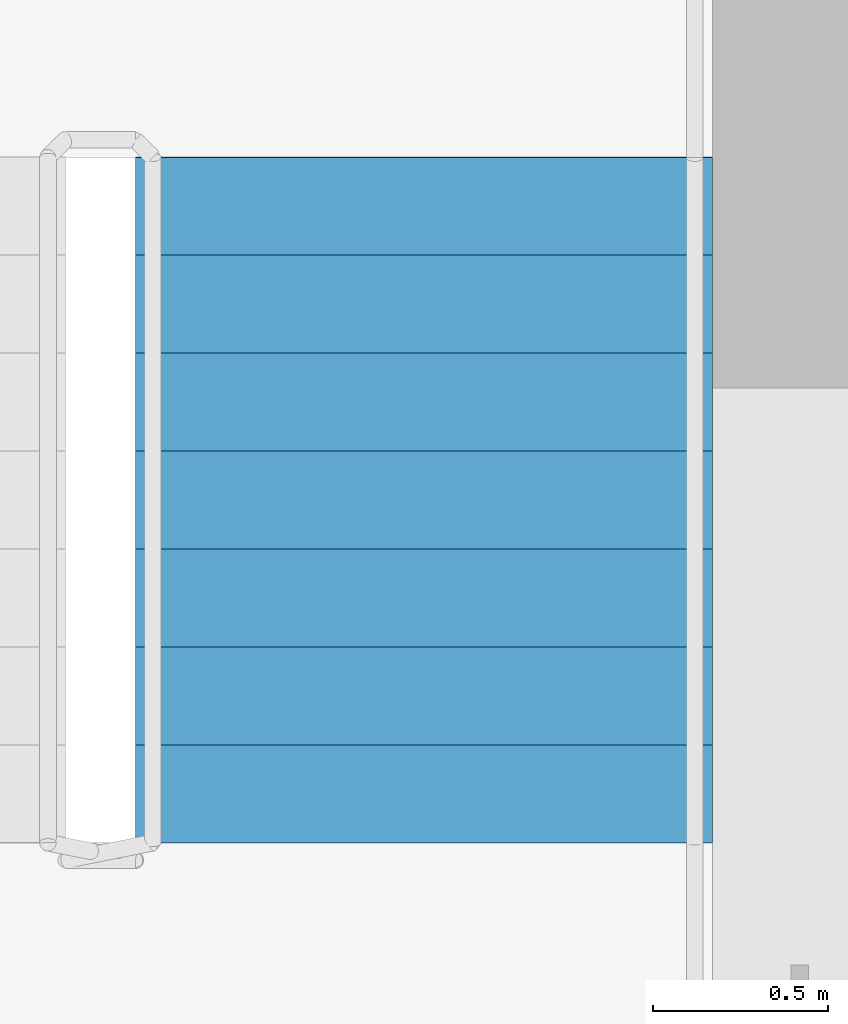
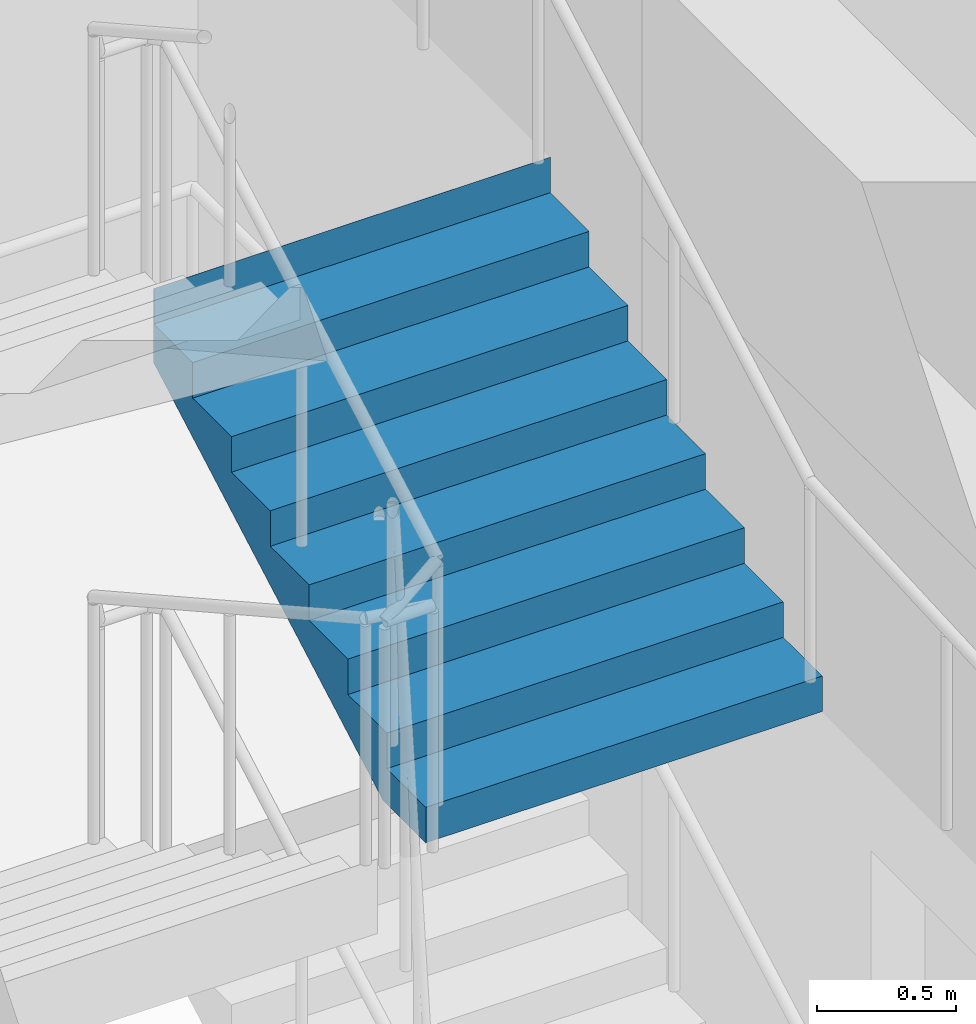
# One storey, part 13 of 15: 1 stair flight, 1 element without a shape of its own.
"""IFC4 building model written with IfcOpenShell, lengths in metres."""

from ifc_helpers import new_model, si_unit, direction, frame, origin, place, context, subcontext, project, spatial, polyline, outline, extrude, material, type_object, element, aggregate, save


model = new_model("IFC4")

# Units and contexts
model_context = context("Model", 3, precision=1e-05, world=origin(), true_north=direction((0.0, 1.0)))
body_context = subcontext(model_context, "Body", "Model", "MODEL_VIEW")
ifc_project = project(units=[si_unit("LENGTHUNIT", "METRE"), si_unit("AREAUNIT", "SQUARE_METRE"), si_unit("VOLUMEUNIT", "CUBIC_METRE"), si_unit("PLANEANGLEUNIT", "RADIAN"), si_unit("MASSUNIT", "GRAM", prefix="KILO")], contexts=[model_context])

# Site, building, storey
site_placement = place(None, origin())
site = spatial("IfcSite", under=ifc_project, at=site_placement, CompositionType="ELEMENT")
building_placement = place(site_placement, origin())
building = spatial("IfcBuilding", under=site, at=building_placement, Name="Tamorin Gate", CompositionType="ELEMENT")
storey_placement = place(building_placement, frame((0.0, 0.0, 287.199951171875)))
storey = spatial("IfcBuildingStorey", under=building, at=storey_placement, Name="L72", CompositionType="ELEMENT", Elevation=287.199951171875)

# Stair, stair flight
ifc_material = material(Name="Concrete C40/50", Category="concrete")
stair_type = type_object("IfcStairType", Name="Exit stair", PredefinedType="HALF_TURN_STAIR", material=ifc_material)
stair_placement = place(storey_placement, origin())
stair = element("IfcStair", 1, at=stair_placement, inside=storey, type_object=stair_type, Name="L72 stair ST2", PredefinedType="HALF_TURN_STAIR")
stair_flight_type = type_object("IfcStairFlightType", Name="Exit stair flight", PredefinedType="STRAIGHT", material=ifc_material)
stair_flight_placement = place(storey_placement, frame((33.675048828125, 77.0, 2.5), z_axis=(0.0, 0.0, 1.0), x_axis=(0.0, 1.0, 0.0)))
stair_flight = element("IfcStairFlight", 2, at=stair_flight_placement, type_object=stair_flight_type, Name="ST2 flight 3", NumberOfRisers=8, NumberOfTreads=7, PredefinedType="STRAIGHT", RiserHeight=0.15625, TreadLength=0.28, context=body_context, shape_type="SweptSolid", body=[
    extrude(outline(polyline([(-0.00048828125, 0.0), (-0.00048828125, 0.00146484375), (-0.00048828125, 0.003173828125), (-0.00048828125, 0.004638671875), (-0.00048828125, 0.006103515625), (-0.00048828125, 0.0078125), (-0.00048828125, 0.00927734375), (-0.00048828125, 0.0107421875), (-0.00048828125, 0.012451171875), (-0.00048828125, 0.013916015625), (-0.00048828125, 0.015380859375), (-0.00048828125, 0.01708984375), (-0.00048828125, 0.0185546875), (-0.00048828125, 0.02001953125), (-0.00048828125, 0.021728515625), (-0.00048828125, 0.023193359375), (-0.00048828125, 0.024658203125), (-0.00048828125, 0.0263671875), (-0.00048828125, 0.02783203125), (-0.00048828125, 0.029296875), (-0.00048828125, 0.031005859375), (-0.00048828125, 0.032470703125), (-0.00048828125, 0.033935546875), (-0.00048828125, 0.03564453125), (-0.00048828125, 0.037109375), (-0.00048828125, 0.03857421875), (-0.00048828125, 0.040283203125), (-0.00048828125, 0.041748046875), (-0.00048828125, 0.043212890625), (-0.00048828125, 0.044921875), (-0.00048828125, 0.04638671875), (-0.00048828125, 0.0478515625), (-0.00048828125, 0.049560546875), (-0.00048828125, 0.051025390625), (-0.00048828125, 0.052490234375), (-0.00048828125, 0.05419921875), (-0.00048828125, 0.0556640625), (-0.00048828125, 0.05712890625), (-0.00048828125, 0.058837890625), (-0.00048828125, 0.060302734375), (-0.00048828125, 0.061767578125), (-0.00048828125, 0.0634765625), (-0.00048828125, 0.06494140625), (-0.00048828125, 0.06640625), (-0.00048828125, 0.068115234375), (-0.00048828125, 0.069580078125), (-0.00048828125, 0.071044921875), (-0.00048828125, 0.07275390625), (-0.00048828125, 0.07421875), (-0.00048828125, 0.07568359375), (-0.00048828125, 0.077392578125), (-0.00048828125, 0.078857421875), (-0.00048828125, 0.08056640625), (-0.00048828125, 0.08203125), (-0.00048828125, 0.08349609375), (-0.00048828125, 0.085205078125), (-0.00048828125, 0.086669921875), (-0.00048828125, 0.088134765625), (-0.00048828125, 0.08984375), (-0.00048828125, 0.09130859375), (-0.00048828125, 0.0927734375), (-0.00048828125, 0.094482421875), (-0.00048828125, 0.095947265625), (-0.00048828125, 0.097412109375), (-0.00048828125, 0.09912109375), (-0.00048828125, 0.1005859375), (-0.00048828125, 0.10205078125), (-0.00048828125, 0.103759765625), (-0.00048828125, 0.105224609375), (-0.00048828125, 0.106689453125), (-0.00048828125, 0.1083984375), (-0.00048828125, 0.10986328125), (-0.00048828125, 0.111328125), (-0.00048828125, 0.113037109375), (-0.00048828125, 0.114501953125), (-0.00048828125, 0.115966796875), (-0.00048828125, 0.11767578125), (-0.00048828125, 0.119140625), (-0.00048828125, 0.12060546875), (-0.00048828125, 0.122314453125), (-0.00048828125, 0.123779296875), (-0.00048828125, 0.125244140625), (-0.00048828125, 0.126953125), (-0.00048828125, 0.12841796875), (-0.00048828125, 0.1298828125), (-0.00048828125, 0.131591796875), (-0.00048828125, 0.133056640625), (-0.00048828125, 0.134521484375), (-0.00048828125, 0.13623046875), (-0.00048828125, 0.1376953125), (-0.00048828125, 0.13916015625), (-0.00048828125, 0.140869140625), (-0.00048828125, 0.142333984375), (-0.00048828125, 0.143798828125), (-0.00048828125, 0.1455078125), (-0.00048828125, 0.14697265625), (-0.00048828125, 0.1484375), (-0.00048828125, 0.150146484375), (-0.00048828125, 0.151611328125), (-0.00048828125, 0.153076171875), (-0.00048828125, 0.15478515625), (-0.00048828125, 0.15625), (0.280029296875, 0.15625), (0.280029296875, 0.3125), (0.56005859375, 0.3125), (0.56005859375, 0.46875), (0.840087890625, 0.46875), (0.840087890625, 0.625), (1.1201171875, 0.625), (1.1201171875, 0.78125), (1.39990234375, 0.78125), (1.39990234375, 0.9375), (1.679931640625, 0.9375), (1.679931640625, 1.09375), (1.9599609375, 1.09375), (1.9599609375, 1.25), (1.96044921875, 1.25), (1.96044921875, 1.246826171875), (1.96044921875, 1.243408203125), (1.96044921875, 1.240234375), (1.96044921875, 1.237060546875), (1.96044921875, 1.23388671875), (1.96044921875, 1.23046875), (1.96044921875, 1.227294921875), (1.96044921875, 1.22412109375), (1.96044921875, 1.220703125), (1.96044921875, 1.217529296875), (1.96044921875, 1.21435546875), (1.96044921875, 1.2109375), (1.96044921875, 1.207763671875), (1.96044921875, 1.20458984375), (1.96044921875, 1.201416015625), (1.96044921875, 1.197998046875), (1.96044921875, 1.19482421875), (1.96044921875, 1.191650390625), (1.96044921875, 1.188232421875), (1.96044921875, 1.18505859375), (1.96044921875, 1.181884765625), (1.96044921875, 1.178466796875), (1.96044921875, 1.17529296875), (1.96044921875, 1.172119140625), (1.96044921875, 1.1689453125), (1.96044921875, 1.16552734375), (1.96044921875, 1.162353515625), (1.96044921875, 1.1591796875), (1.96044921875, 1.15576171875), (1.96044921875, 1.152587890625), (1.96044921875, 1.1494140625), (1.96044921875, 1.14599609375), (1.96044921875, 1.142822265625), (1.96044921875, 1.1396484375), (1.96044921875, 1.136474609375), (1.96044921875, 1.133056640625), (1.96044921875, 1.1298828125), (1.96044921875, 1.126708984375), (1.96044921875, 1.123291015625), (1.96044921875, 1.1201171875), (1.96044921875, 1.116943359375), (1.96044921875, 1.113525390625), (1.96044921875, 1.1103515625), (1.96044921875, 1.107177734375), (1.96044921875, 1.10400390625), (1.96044921875, 1.1005859375), (1.96044921875, 1.097412109375), (1.96044921875, 1.09423828125), (1.96044921875, 1.0908203125), (1.96044921875, 1.087646484375), (1.96044921875, 1.08447265625), (1.96044921875, 1.0810546875), (1.96044921875, 1.077880859375), (1.96044921875, 1.07470703125), (1.96044921875, 1.071533203125), (1.96044921875, 1.068115234375), (1.96044921875, 1.06494140625), (1.96044921875, 1.061767578125), (1.96044921875, 1.058349609375), (1.96044921875, 1.05517578125), (1.96044921875, 1.052001953125), (1.96044921875, 1.048828125), (1.96044921875, 1.04541015625), (1.96044921875, 1.042236328125), (1.96044921875, 1.0390625), (1.96044921875, 1.03564453125), (1.96044921875, 1.032470703125), (1.96044921875, 1.029296875), (1.96044921875, 1.02587890625), (1.96044921875, 1.022705078125), (1.96044921875, 1.01953125), (1.96044921875, 1.016357421875), (1.96044921875, 1.012939453125), (1.96044921875, 1.009765625), (1.96044921875, 1.006591796875), (1.96044921875, 1.003173828125), (1.96044921875, 1.0), (1.96044921875, 0.996826171875), (1.96044921875, 0.993408203125), (1.96044921875, 0.990234375), (1.96044921875, 0.987060546875), (1.96044921875, 0.98388671875), (1.96044921875, 0.98046875), (1.96044921875, 0.977294921875), (1.96044921875, 0.97412109375), (1.96044921875, 0.970703125), (1.96044921875, 0.967529296875), (1.96044921875, 0.96435546875), (1.96044921875, 0.9609375), (1.96044921875, 0.957763671875), (1.96044921875, 0.95458984375), (1.96044921875, 0.951416015625), (1.96044921875, 0.947998046875), (1.96044921875, 0.94482421875), (1.96044921875, 0.941650390625), (1.96044921875, 0.938232421875), (1.96044921875, 0.93505859375), (1.96044921875, 0.931884765625), (1.96044921875, 0.928466796875), (1.96044921875, 0.92529296875), (1.96044921875, 0.922119140625), (1.9599609375, 0.922119140625), (0.3076171875, 0.0), (-0.00048828125, 0.0)])), frame((0.0, 0.824951171875, 0.0), z_axis=(0.0, -1.0, 0.0), x_axis=(1.0, 0.0, 0.0)), (0.0, 0.0, 1.0), 1.64990234375),
])
aggregate(stair, [stair_flight])

save(model, "model.ifc")
